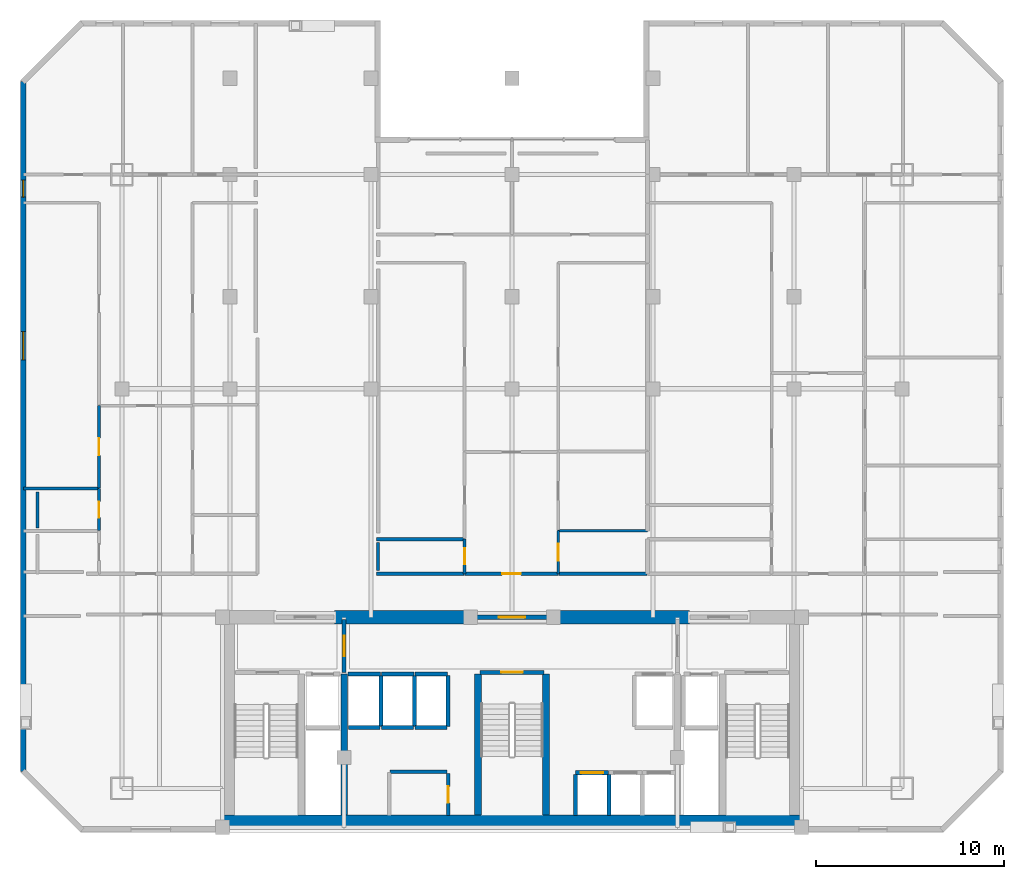
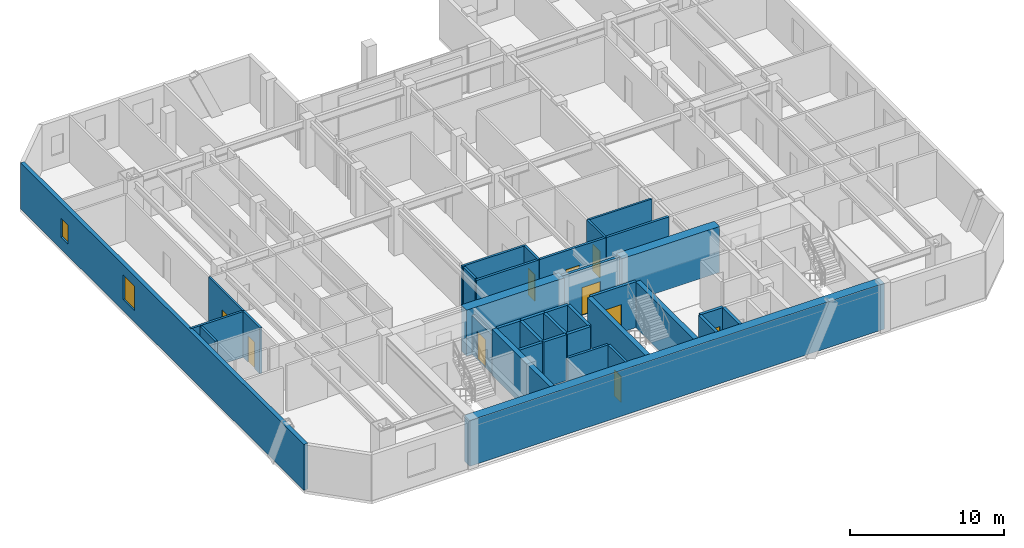
# One storey, part 4 of 9: 36 walls, 10 doors, 2 windows, 12 openings.
"""IFC4 building model written with IfcOpenShell, lengths in metres."""

from ifc_helpers import new_model, si_unit, direction, frame, frame_2d, origin, place, context, subcontext, project, spatial, rectangle, extrude, material, layer, layer_set, type_object, element, fill, save


model = new_model("IFC4")

# Units and contexts
model_context = context("Model", 3, precision=1e-05, world=origin(), true_north=direction((0.0, 1.0)))
body_context = subcontext(model_context, "Body", "Model", "MODEL_VIEW")
ifc_project = project(units=[si_unit("LENGTHUNIT", "METRE"), si_unit("AREAUNIT", "SQUARE_METRE"), si_unit("VOLUMEUNIT", "CUBIC_METRE"), si_unit("PLANEANGLEUNIT", "RADIAN"), si_unit("MASSUNIT", "GRAM", prefix="KILO")], contexts=[model_context])

# Site, building, storey
site_placement = place(None, origin())
site = spatial("IfcSite", under=ifc_project, at=site_placement, CompositionType="ELEMENT")
building_placement = place(site_placement, origin())
building = spatial("IfcBuilding", under=site, at=building_placement, Name="Ventersveld Concourse Tower", CompositionType="ELEMENT")
storey_placement = place(building_placement, frame((0.0, 0.0, 145.199951171875)))
storey = spatial("IfcBuildingStorey", under=building, at=storey_placement, Name="L35", CompositionType="ELEMENT", Elevation=145.199951171875)

# Walls
ifc_material_1 = material(Name="Concrete C60/75", Category="concrete")
ifc_layer_1 = layer(ifc_material_1, 0.35009765625)
ifc_layer_set_1 = layer_set([ifc_layer_1], Name="Concrete C60/75")
wall_type_1 = type_object("IfcWallType", Name="WL-CORE-350L", PredefinedType="SHEAR", material=ifc_layer_set_1)
for number, where, z_axis, x_axis, name in (
    (1, (19.820068359375, 0.919921875, 0.0), (0.0, 0.0, 1.0), (0.0, 1.0, 0.0), "L35 Core Internal Shear Web W-FF1-E"),
    (2, (26.93994140625, 0.919921875, 0.0), (0.0, 0.0, 1.0), (0.0, 1.0, 0.0), "L35 Core Internal Shear Web W-ST3-W"),
    (3, (30.56005859375, 0.919921875, 0.0), (0.0, 0.0, 1.0), (0.0, 1.0, 0.0), "L35 Core Internal Shear Web W-ST3-E"),
):
    element("IfcWall", number, at=place(storey_placement, frame(where, z_axis=z_axis, x_axis=x_axis)), inside=storey, type_object=wall_type_1, Name=name, PredefinedType="SHEAR", context=body_context, shape_type="SweptSolid", body=[
        extrude(rectangle(XDim=7.5, YDim=0.35009765625, at=frame_2d((3.75, 0.0))), origin(), (0.0, 0.0, 1.0), 3.630126953125),
    ])
ifc_layer_2 = layer(ifc_material_1, 0.699951171875)
ifc_layer_set_2 = layer_set([ifc_layer_2], Name="Concrete C60/75")
wall_type_2 = type_object("IfcWallType", Name="WL-CORE-700", PredefinedType="SHEAR", material=ifc_layer_set_2)
wall_1_placement = place(storey_placement, frame((13.25, 0.570068359375, 0.0), z_axis=(0.0, 0.0, 1.0), x_axis=(1.0, 0.0, 0.0)))
element("IfcWall", 4, at=wall_1_placement, inside=storey, type_object=wall_type_2, Name="L35 Rear Core South Shear Wall", PredefinedType="SHEAR", context=body_context, shape_type="SweptSolid", body=[
    extrude(rectangle(XDim=31.0, YDim=0.699951171875, at=frame_2d((15.5, 0.0))), origin(), (0.0, 0.0, 1.0), 3.630126953125),
])
for number, where, z_axis, x_axis, name in (
    (5, (19.300048828125, 11.449951171875, 0.0), (0.0, 0.0, 1.0), (1.0, 0.0, 0.0), "L35 Rear Core North Shear Wall NML"),
    (6, (30.89990234375, 11.449951171875, 0.0), (0.0, 0.0, 1.0), (1.0, 0.0, 0.0), "L35 Rear Core North Shear Wall NMR"),
):
    element("IfcWall", number, at=place(storey_placement, frame(where, z_axis=z_axis, x_axis=x_axis)), inside=storey, type_object=wall_type_2, Name=name, PredefinedType="SHEAR", context=body_context, shape_type="SweptSolid", body=[
        extrude(rectangle(XDim=7.300048828125, YDim=0.699951171875, at=frame_2d((3.64990234375, 0.0))), origin(), (0.0, 0.0, 1.0), 3.630126953125),
    ])

# Wall, opening, door
ifc_material_2 = material(Name="Fire-rated autoclaved aerated masonry blockwork", Category="masonry")
ifc_layer_3 = layer(ifc_material_2, 0.179931640625)
ifc_layer_set_3 = layer_set([ifc_layer_3], Name="Fire-rated autoclaved aerated masonry blockwork")
wall_type_3 = type_object("IfcWallType", Name="WL-CORR-180", PredefinedType="PARTITIONING", material=ifc_layer_set_3)
wall_2_placement = place(storey_placement, frame((25.35009765625, 0.89990234375, 0.0), z_axis=(0.0, 0.0, 1.0), x_axis=(0.0, 1.0, 0.0)))
wall_2 = element("IfcWall", 7, at=wall_2_placement, inside=storey, type_object=wall_type_3, Name="L35 Core Passage Wall SP-L35-RECB1", PredefinedType="PARTITIONING", context=body_context, shape_type="SweptSolid", body=[
    extrude(rectangle(XDim=2.239990234375, YDim=0.179931640625, at=frame_2d((1.1201171875, 0.0))), origin(), (0.0, 0.0, 1.0), 3.630126953125),
])
opening_1_placement = place(wall_2_placement, frame((0.679931640625, 0.0, 0.0)))
opening_1 = element("IfcOpeningElement", 8, at=opening_1_placement, cuts=wall_2, Name="Opening FD5", PredefinedType="OPENING", context=body_context, shape_type="SweptSolid", body=[
    extrude(rectangle(XDim=0.8798828125, YDim=2.050048828125, at=frame_2d((0.43994140625, 1.02490234375))), frame((0.0, 0.10009765625, 0.0), z_axis=(0.0, -1.0, 0.0), x_axis=(1.0, 0.0, 0.0)), (0.0, 0.0, 1.0), 0.199951171875),
])
ifc_material_3 = material(Name="Galvanised painted steel", Category="steel")
door_type_1 = type_object("IfcDoorType", Name="DR-RISER-088", OperationType="NOTDEFINED", PredefinedType="DOOR", material=ifc_material_3)
door_1_placement = place(opening_1_placement, origin())
door_1 = element("IfcDoor", 9, at=door_1_placement, inside=storey, type_object=door_type_1, Name="L35 Core Room Door L35 Reclaimed Core Residents Reading Room (CD-L35-1707)", OperationType="SINGLE_SWING_RIGHT", OverallHeight=2.050048828125, OverallWidth=0.8798828125, PredefinedType="DOOR", context=body_context, shape_type="SweptSolid", body=[
    extrude(rectangle(XDim=0.8798828125, YDim=2.050048828125, at=frame_2d((0.43994140625, 1.02490234375))), frame((0.0, 0.02490234375, 0.0), z_axis=(0.0, -1.0, 0.0), x_axis=(1.0, 0.0, 0.0)), (0.0, 0.0, 1.0), 0.050048828125),
])
fill(opening_1, door_1)

# Wall
wall_3_placement = place(storey_placement, frame((22.260009765625, 3.22998046875, 0.0), z_axis=(0.0, 0.0, 1.0), x_axis=(1.0, 0.0, 0.0)))
element("IfcWall", 10, at=wall_3_placement, inside=storey, type_object=wall_type_3, Name="L35 Core Top Wall SP-L35-RECB1", PredefinedType="PARTITIONING", context=body_context, shape_type="SweptSolid", body=[
    extrude(rectangle(XDim=3.0400390625, YDim=0.179931640625, at=frame_2d((1.52001953125, 0.0))), origin(), (0.0, 0.0, 1.0), 3.630126953125),
])

# Wall, opening, door
wall_4_placement = place(storey_placement, frame((26.225341796875, 13.77001953125, 0.0), z_axis=(0.0, 0.0, 1.0), x_axis=(1.0, 0.0, 0.0)))
wall_4 = element("IfcWall", 11, at=wall_4_placement, inside=storey, type_object=wall_type_3, Name="L35 Interior Partition SP-L35-COR-SP-L35-35CM-FOY", PredefinedType="PARTITIONING", context=body_context, shape_type="SweptSolid", body=[
    extrude(rectangle(XDim=4.989990234375, YDim=0.179931640625, at=frame_2d((2.4951171875, 0.0))), origin(), (0.0, 0.0, 1.0), 3.630126953125),
])
opening_2_placement = place(wall_4_placement, frame((1.9951171875, 0.0, 0.0)))
opening_2 = element("IfcOpeningElement", 12, at=opening_2_placement, cuts=wall_4, Name="Opening FD3", PredefinedType="OPENING", context=body_context, shape_type="SweptSolid", body=[
    extrude(rectangle(XDim=1.0, YDim=2.14990234375, at=frame_2d((0.5, 1.074951171875))), frame((0.0, 0.10009765625, 0.0), z_axis=(0.0, -1.0, 0.0), x_axis=(1.0, 0.0, 0.0)), (0.0, 0.0, 1.0), 0.199951171875),
])
ifc_material_4 = material(Name="Solid-core hardwood veneer timber", Category="wood")
door_type_2 = type_object("IfcDoorType", Name="DR-FLAT-100", OperationType="NOTDEFINED", PredefinedType="DOOR", material=ifc_material_4)
door_2_placement = place(opening_2_placement, origin())
door_2 = element("IfcDoor", 13, at=door_2_placement, inside=storey, type_object=door_type_2, Name="L35 Interior Door SP-L35-COR to SP-L35-35CM-FOY (FD-L35-1712)", OperationType="SINGLE_SWING_RIGHT", OverallHeight=2.14990234375, OverallWidth=1.0, PredefinedType="DOOR", context=body_context, shape_type="SweptSolid", body=[
    extrude(rectangle(XDim=1.0, YDim=2.14990234375, at=frame_2d((0.5, 1.074951171875))), frame((0.0, 0.02490234375, 0.0), z_axis=(0.0, -1.0, 0.0), x_axis=(1.0, 0.0, 0.0)), (0.0, 0.0, 1.0), 0.050048828125),
])
fill(opening_2, door_2)

# Walls
wall_5_placement = place(storey_placement, frame((21.534912109375, 13.77001953125, 0.0), z_axis=(0.0, 0.0, 1.0), x_axis=(1.0, 0.0, 0.0)))
element("IfcWall", 14, at=wall_5_placement, inside=storey, type_object=wall_type_3, Name="L35 Interior Partition SP-L35-COR-SP-L35-35CM-BATH", PredefinedType="PARTITIONING", context=body_context, shape_type="SweptSolid", body=[
    extrude(rectangle(XDim=4.660400390625, YDim=0.179931640625, at=frame_2d((2.330078125, 0.0))), origin(), (0.0, 0.0, 1.0), 3.630126953125),
])
wall_6_placement = place(storey_placement, frame((31.245361328125, 13.77001953125, 0.0), z_axis=(0.0, 0.0, 1.0), x_axis=(1.0, 0.0, 0.0)))
element("IfcWall", 15, at=wall_6_placement, inside=storey, type_object=wall_type_3, Name="L35 Interior Partition SP-L35-COR-SP-L35-35CM-KIT", PredefinedType="PARTITIONING", context=body_context, shape_type="SweptSolid", body=[
    extrude(rectangle(XDim=4.6796875, YDim=0.179931640625, at=frame_2d((2.33984375, 0.0))), origin(), (0.0, 0.0, 1.0), 3.630126953125),
])
ifc_layer_4 = layer(ifc_material_2, 0.219970703125)
ifc_layer_set_4 = layer_set([ifc_layer_4], Name="Fire-rated autoclaved aerated masonry blockwork")
wall_type_4 = type_object("IfcWallType", Name="WL-HOIST-220", PredefinedType="SOLIDWALL", material=ifc_layer_set_4)
for number, where, z_axis, x_axis, name in (
    (16, (32.1201171875, 0.89990234375, 0.0), (0.0, 0.0, 1.0), (0.0, 1.0, 0.0), "L35 Lift Hoistway Side Wall PM-01W"),
    (17, (33.89990234375, 0.89990234375, 0.0), (0.0, 0.0, 1.0), (0.0, 1.0, 0.0), "L35 Lift Hoistway Side Wall PM-01E"),
):
    element("IfcWall", number, at=place(storey_placement, frame(where, z_axis=z_axis, x_axis=x_axis)), inside=storey, type_object=wall_type_4, Name=name, PredefinedType="SOLIDWALL", context=body_context, shape_type="SweptSolid", body=[
        extrude(rectangle(XDim=2.2001953125, YDim=0.219970703125, at=frame_2d((1.10009765625, 0.0))), origin(), (0.0, 0.0, 1.0), 3.630126953125),
    ])

# Wall, opening, door
wall_7_placement = place(storey_placement, frame((32.139892578125, 3.179931640625, 0.0), z_axis=(0.0, 0.0, 1.0), x_axis=(1.0, 0.0, 0.0)))
wall_7 = element("IfcWall", 18, at=wall_7_placement, inside=storey, type_object=wall_type_4, Name="L35 Lift Hoistway Front Wall PM-01", PredefinedType="SOLIDWALL", context=body_context, shape_type="SweptSolid", body=[
    extrude(rectangle(XDim=1.739990234375, YDim=0.219970703125, at=frame_2d((0.8701171875, 0.0))), origin(), (0.0, 0.0, 1.0), 3.630126953125),
])
opening_3_placement = place(wall_7_placement, frame((0.280029296875, 0.0, 0.0)))
opening_3 = element("IfcOpeningElement", 19, at=opening_3_placement, cuts=wall_7, Name="Opening LD2", PredefinedType="OPENING", context=body_context, shape_type="SweptSolid", body=[
    extrude(rectangle(XDim=1.179931640625, YDim=2.199951171875, at=frame_2d((0.58984375, 1.10009765625))), frame((0.0, 0.1201171875, 0.0), z_axis=(0.0, -1.0, 0.0), x_axis=(1.0, 0.0, 0.0)), (0.0, 0.0, 1.0), 0.239990234375),
])
ifc_material_5 = material(Name="Brushed stainless steel 316", Category="steel")
door_type_3 = type_object("IfcDoorType", Name="LD-PAX-118", OperationType="SLIDING_TO_LEFT", PredefinedType="DOOR", material=ifc_material_5)
door_3_placement = place(opening_3_placement, origin())
door_3 = element("IfcDoor", 20, at=door_3_placement, inside=storey, type_object=door_type_3, Name="L35 Lift landing door PM-01 (LD-L35-PM-01)", OperationType="SLIDING_TO_RIGHT", OverallHeight=2.199951171875, OverallWidth=1.179931640625, PredefinedType="DOOR", context=body_context, shape_type="SweptSolid", body=[
    extrude(rectangle(XDim=1.179931640625, YDim=2.199951171875, at=frame_2d((0.58984375, 1.10009765625))), frame((0.0, 0.02490234375, 0.0), z_axis=(0.0, -1.0, 0.0), x_axis=(1.0, 0.0, 0.0)), (0.0, 0.0, 1.0), 0.050048828125),
])
fill(opening_3, door_3)

# Walls
wall_8_placement = place(storey_placement, frame((20.0400390625, 5.590087890625, 0.0), z_axis=(0.0, 0.0, 1.0), x_axis=(1.0, 0.0, 0.0)))
element("IfcWall", 21, at=wall_8_placement, inside=storey, type_object=wall_type_4, Name="L35 Lift Hoistway Back Wall PH-01", PredefinedType="SOLIDWALL", context=body_context, shape_type="SweptSolid", body=[
    extrude(rectangle(XDim=1.699951171875, YDim=0.219970703125, at=frame_2d((0.85009765625, 0.0))), origin(), (0.0, 0.0, 1.0), 3.630126953125),
])
wall_9_placement = place(storey_placement, frame((21.780029296875, 5.64990234375, 0.0), z_axis=(0.0, 0.0, 1.0), x_axis=(0.0, 1.0, 0.0)))
element("IfcWall", 22, at=wall_9_placement, inside=storey, type_object=wall_type_4, Name="L35 Lift Hoistway Side Wall PH-01E", PredefinedType="SOLIDWALL", context=body_context, shape_type="SweptSolid", body=[
    extrude(rectangle(XDim=2.7001953125, YDim=0.219970703125, at=frame_2d((1.35009765625, 0.0))), origin(), (0.0, 0.0, 1.0), 3.630126953125),
])
wall_10_placement = place(storey_placement, frame((20.02001953125, 8.429931640625, 0.0), z_axis=(0.0, 0.0, 1.0), x_axis=(1.0, 0.0, 0.0)))
element("IfcWall", 23, at=wall_10_placement, inside=storey, type_object=wall_type_4, Name="L35 Lift Hoistway Front Wall PH-01", PredefinedType="SOLIDWALL", context=body_context, shape_type="SweptSolid", body=[
    extrude(rectangle(XDim=1.739990234375, YDim=0.219970703125, at=frame_2d((0.8701171875, 0.0))), origin(), (0.0, 0.0, 1.0), 3.630126953125),
])
wall_11_placement = place(storey_placement, frame((21.820068359375, 5.590087890625, 0.0), z_axis=(0.0, 0.0, 1.0), x_axis=(1.0, 0.0, 0.0)))
element("IfcWall", 24, at=wall_11_placement, inside=storey, type_object=wall_type_4, Name="L35 Lift Hoistway Back Wall PH-02", PredefinedType="SOLIDWALL", context=body_context, shape_type="SweptSolid", body=[
    extrude(rectangle(XDim=1.699951171875, YDim=0.219970703125, at=frame_2d((0.85009765625, 0.0))), origin(), (0.0, 0.0, 1.0), 3.630126953125),
])
wall_12_placement = place(storey_placement, frame((23.56005859375, 5.64990234375, 0.0), z_axis=(0.0, 0.0, 1.0), x_axis=(0.0, 1.0, 0.0)))
element("IfcWall", 25, at=wall_12_placement, inside=storey, type_object=wall_type_4, Name="L35 Lift Hoistway Side Wall PH-02E", PredefinedType="SOLIDWALL", context=body_context, shape_type="SweptSolid", body=[
    extrude(rectangle(XDim=2.7001953125, YDim=0.219970703125, at=frame_2d((1.35009765625, 0.0))), origin(), (0.0, 0.0, 1.0), 3.630126953125),
])
wall_13_placement = place(storey_placement, frame((21.800048828125, 8.429931640625, 0.0), z_axis=(0.0, 0.0, 1.0), x_axis=(1.0, 0.0, 0.0)))
element("IfcWall", 26, at=wall_13_placement, inside=storey, type_object=wall_type_4, Name="L35 Lift Hoistway Front Wall PH-02", PredefinedType="SOLIDWALL", context=body_context, shape_type="SweptSolid", body=[
    extrude(rectangle(XDim=1.739990234375, YDim=0.219970703125, at=frame_2d((0.8701171875, 0.0))), origin(), (0.0, 0.0, 1.0), 3.630126953125),
])
wall_14_placement = place(storey_placement, frame((23.60009765625, 5.590087890625, 0.0), z_axis=(0.0, 0.0, 1.0), x_axis=(1.0, 0.0, 0.0)))
element("IfcWall", 27, at=wall_14_placement, inside=storey, type_object=wall_type_4, Name="L35 Lift Hoistway Back Wall PH-03", PredefinedType="SOLIDWALL", context=body_context, shape_type="SweptSolid", body=[
    extrude(rectangle(XDim=1.699951171875, YDim=0.219970703125, at=frame_2d((0.85009765625, 0.0))), origin(), (0.0, 0.0, 1.0), 3.630126953125),
])
wall_15_placement = place(storey_placement, frame((25.340087890625, 5.64990234375, 0.0), z_axis=(0.0, 0.0, 1.0), x_axis=(0.0, 1.0, 0.0)))
element("IfcWall", 28, at=wall_15_placement, inside=storey, type_object=wall_type_4, Name="L35 Lift Hoistway Side Wall PH-03E", PredefinedType="SOLIDWALL", context=body_context, shape_type="SweptSolid", body=[
    extrude(rectangle(XDim=2.7001953125, YDim=0.219970703125, at=frame_2d((1.35009765625, 0.0))), origin(), (0.0, 0.0, 1.0), 3.630126953125),
])
wall_16_placement = place(storey_placement, frame((23.580078125, 8.429931640625, 0.0), z_axis=(0.0, 0.0, 1.0), x_axis=(1.0, 0.0, 0.0)))
element("IfcWall", 29, at=wall_16_placement, inside=storey, type_object=wall_type_4, Name="L35 Lift Hoistway Front Wall PH-03", PredefinedType="SOLIDWALL", context=body_context, shape_type="SweptSolid", body=[
    extrude(rectangle(XDim=1.739990234375, YDim=0.219970703125, at=frame_2d((0.8701171875, 0.0))), origin(), (0.0, 0.0, 1.0), 3.630126953125),
])

# Wall, opening, door
wall_17_placement = place(storey_placement, frame((27.0400390625, 8.52001953125, 0.0), z_axis=(0.0, 0.0, 1.0), x_axis=(1.0, 0.0, 0.0)))
wall_17 = element("IfcWall", 30, at=wall_17_placement, inside=storey, type_object=wall_type_4, Name="L35 Escape Stair ST03 Fire Wall", PredefinedType="SOLIDWALL", context=body_context, shape_type="SweptSolid", body=[
    extrude(rectangle(XDim=3.419921875, YDim=0.219970703125, at=frame_2d((1.7099609375, 0.0))), origin(), (0.0, 0.0, 1.0), 3.630126953125),
])
opening_4_placement = place(wall_17_placement, frame((1.135009765625, 0.0, 0.0)))
opening_4 = element("IfcOpeningElement", 31, at=opening_4_placement, cuts=wall_17, Name="Opening FD1", PredefinedType="OPENING", context=body_context, shape_type="SweptSolid", body=[
    extrude(rectangle(XDim=1.14990234375, YDim=2.199951171875, at=frame_2d((0.574951171875, 1.10009765625))), frame((0.0, 0.1201171875, 0.0), z_axis=(0.0, -1.0, 0.0), x_axis=(1.0, 0.0, 0.0)), (0.0, 0.0, 1.0), 0.239990234375),
])
door_type_4 = type_object("IfcDoorType", Name="DR-STAIR-115", OperationType="NOTDEFINED", PredefinedType="DOOR", material=ifc_material_3)
door_4_placement = place(opening_4_placement, origin())
door_4 = element("IfcDoor", 32, at=door_4_placement, inside=storey, type_object=door_type_4, Name="L35 Escape Stair Door ST03 (SD-L35-1701)", OperationType="SINGLE_SWING_LEFT", OverallHeight=2.199951171875, OverallWidth=1.14990234375, PredefinedType="DOOR", context=body_context, shape_type="SweptSolid", body=[
    extrude(rectangle(XDim=1.14990234375, YDim=2.199951171875, at=frame_2d((0.574951171875, 1.10009765625))), frame((0.0, 0.02490234375, 0.0), z_axis=(0.0, -1.0, 0.0), x_axis=(1.0, 0.0, 0.0)), (0.0, 0.0, 1.0), 0.050048828125),
])
fill(opening_4, door_4)

wall_18_placement = place(storey_placement, frame((19.820068359375, 8.52001953125, 0.0), z_axis=(0.0, 0.0, 1.0), x_axis=(0.0, 1.0, 0.0)))
wall_18 = element("IfcWall", 33, at=wall_18_placement, inside=storey, type_object=wall_type_4, Name="L35 Firefighting Lobby Smoke-Stop Wall FFLW-SEP", PredefinedType="SOLIDWALL", context=body_context, shape_type="SweptSolid", body=[
    extrude(rectangle(XDim=2.800048828125, YDim=0.219970703125, at=frame_2d((1.39990234375, 0.0))), origin(), (0.0, 0.0, 1.0), 3.08544921875),
])
opening_5_placement = place(wall_18_placement, frame((0.85009765625, 0.0, 0.0)))
opening_5 = element("IfcOpeningElement", 34, at=opening_5_placement, cuts=wall_18, Name="Opening FD2", PredefinedType="OPENING", context=body_context, shape_type="SweptSolid", body=[
    extrude(rectangle(XDim=1.10009765625, YDim=2.199951171875, at=frame_2d((0.550048828125, 1.10009765625))), frame((0.0, 0.1201171875, 0.0), z_axis=(0.0, -1.0, 0.0), x_axis=(1.0, 0.0, 0.0)), (0.0, 0.0, 1.0), 0.239990234375),
])
door_type_5 = type_object("IfcDoorType", Name="DR-FFL-110", OperationType="NOTDEFINED", PredefinedType="DOOR", material=ifc_material_3)
door_5_placement = place(opening_5_placement, origin())
door_5 = element("IfcDoor", 35, at=door_5_placement, inside=storey, type_object=door_type_5, Name="L35 Firefighting Lobby Door FFLW-SEP (FD-L35-1702)", OperationType="SINGLE_SWING_LEFT", OverallHeight=2.199951171875, OverallWidth=1.10009765625, PredefinedType="DOOR", context=body_context, shape_type="SweptSolid", body=[
    extrude(rectangle(XDim=1.10009765625, YDim=2.199951171875, at=frame_2d((0.550048828125, 1.10009765625))), frame((0.0, 0.02490234375, 0.0), z_axis=(0.0, -1.0, 0.0), x_axis=(1.0, 0.0, 0.0)), (0.0, 0.0, 1.0), 0.050048828125),
])
fill(opening_5, door_5)

wall_19_placement = place(storey_placement, frame((26.6298828125, 11.449951171875, 0.0), z_axis=(0.0, 0.0, 1.0), x_axis=(1.0, 0.0, 0.0)))
wall_19 = element("IfcWall", 36, at=wall_19_placement, inside=storey, type_object=wall_type_4, Name="L35 Core North Fire Portal PLOB-OUT", PredefinedType="SOLIDWALL", context=body_context, shape_type="SweptSolid", body=[
    extrude(rectangle(XDim=4.240234375, YDim=0.219970703125, at=frame_2d((2.1201171875, 0.0))), origin(), (0.0, 0.0, 1.0), 3.630126953125),
])
opening_6_placement = place(wall_19_placement, frame((1.419921875, 0.0, 0.0)))
opening_6 = element("IfcOpeningElement", 37, at=opening_6_placement, cuts=wall_19, Name="Opening FD4", PredefinedType="OPENING", context=body_context, shape_type="SweptSolid", body=[
    extrude(rectangle(XDim=1.39990234375, YDim=2.199951171875, at=frame_2d((0.699951171875, 1.10009765625))), frame((0.0, 0.1201171875, 0.0), z_axis=(0.0, -1.0, 0.0), x_axis=(1.0, 0.0, 0.0)), (0.0, 0.0, 1.0), 0.239990234375),
])
door_type_6 = type_object("IfcDoorType", Name="DR-PLANT-140", OperationType="DOUBLE_DOOR_SINGLE_SWING", PredefinedType="DOOR", material=ifc_material_3)
door_6_placement = place(opening_6_placement, origin())
door_6 = element("IfcDoor", 38, at=door_6_placement, inside=storey, type_object=door_type_6, Name="L35 Core Lobby Fire Door PLOB-OUT (FD-L35-1705)", OperationType="DOUBLE_DOOR_SINGLE_SWING", OverallHeight=2.199951171875, OverallWidth=1.39990234375, PredefinedType="DOOR", context=body_context, shape_type="SweptSolid", body=[
    extrude(rectangle(XDim=1.39990234375, YDim=2.199951171875, at=frame_2d((0.699951171875, 1.10009765625))), frame((0.0, 0.02490234375, 0.0), z_axis=(0.0, -1.0, 0.0), x_axis=(1.0, 0.0, 0.0)), (0.0, 0.0, 1.0), 0.050048828125),
])
fill(opening_6, door_6)

ifc_material_6 = material(Name="Autoclaved aerated masonry blockwork", Category="masonry")
ifc_layer_5 = layer(ifc_material_6, 0.14990234375)
ifc_layer_set_5 = layer_set([ifc_layer_5], Name="Autoclaved aerated masonry blockwork")
wall_type_5 = type_object("IfcWallType", Name="WL-INT-150", PredefinedType="PARTITIONING", material=ifc_layer_set_5)
wall_20_placement = place(storey_placement, frame((6.78173828125, 18.326904296875, 0.0), z_axis=(0.0, 0.0, 1.0), x_axis=(0.0, 1.0, 0.0)))
wall_20 = element("IfcWall", 39, at=wall_20_placement, inside=storey, type_object=wall_type_5, Name="L35 Interior Partition SP-L35-35NW-FOY-SP-L35-35NW-OFFL0", PredefinedType="PARTITIONING", context=body_context, shape_type="SweptSolid", body=[
    extrude(rectangle(XDim=4.38134765625, YDim=0.14990234375, at=frame_2d((2.190673828125, 0.0))), origin(), (0.0, 0.0, 1.0), 3.630126953125),
])
opening_7_placement = place(wall_20_placement, frame((1.730712890625, 0.0, 0.0)))
opening_7 = element("IfcOpeningElement", 40, at=opening_7_placement, cuts=wall_20, Name="Opening ID1", PredefinedType="OPENING", context=body_context, shape_type="SweptSolid", body=[
    extrude(rectangle(XDim=0.919921875, YDim=2.10009765625, at=frame_2d((0.4599609375, 1.050048828125))), frame((0.0, 0.0849609375, 0.0), z_axis=(0.0, -1.0, 0.0), x_axis=(1.0, 0.0, 0.0)), (0.0, 0.0, 1.0), 0.169921875),
])
door_type_7 = type_object("IfcDoorType", Name="DR-ROOM-092", OperationType="NOTDEFINED", PredefinedType="DOOR", material=ifc_material_4)
door_7_placement = place(opening_7_placement, origin())
door_7 = element("IfcDoor", 41, at=door_7_placement, inside=storey, type_object=door_type_7, Name="L35 Interior Door SP-L35-35NW-FOY to SP-L35-35NW-OFFL0 (D-L35-1716)", OperationType="SINGLE_SWING_RIGHT", OverallHeight=2.10009765625, OverallWidth=0.919921875, PredefinedType="DOOR", context=body_context, shape_type="SweptSolid", body=[
    extrude(rectangle(XDim=0.919921875, YDim=2.10009765625, at=frame_2d((0.4599609375, 1.050048828125))), frame((0.0, 0.02490234375, 0.0), z_axis=(0.0, -1.0, 0.0), x_axis=(1.0, 0.0, 0.0)), (0.0, 0.0, 1.0), 0.050048828125),
])
fill(opening_7, door_7)

wall_21_placement = place(storey_placement, frame((31.21044921875, 13.764892578125, 0.0), z_axis=(0.0, 0.0, 1.0), x_axis=(0.0, 1.0, 0.0)))
wall_21 = element("IfcWall", 42, at=wall_21_placement, inside=storey, type_object=wall_type_5, Name="L35 Interior Partition SP-L35-35CM-FOY-SP-L35-35CM-KIT", PredefinedType="PARTITIONING", context=body_context, shape_type="SweptSolid", body=[
    extrude(rectangle(XDim=2.291015625, YDim=0.14990234375, at=frame_2d((1.1455078125, 0.0))), origin(), (0.0, 0.0, 1.0), 3.630126953125),
])
opening_8_placement = place(wall_21_placement, frame((0.685302734375, 0.0, 0.0)))
opening_8 = element("IfcOpeningElement", 43, at=opening_8_placement, cuts=wall_21, Name="Opening ID1", PredefinedType="OPENING", context=body_context, shape_type="SweptSolid", body=[
    extrude(rectangle(XDim=0.919921875, YDim=2.10009765625, at=frame_2d((0.4599609375, 1.050048828125))), frame((0.0, 0.0849609375, 0.0), z_axis=(0.0, -1.0, 0.0), x_axis=(1.0, 0.0, 0.0)), (0.0, 0.0, 1.0), 0.169921875),
])
door_8_placement = place(opening_8_placement, origin())
door_8 = element("IfcDoor", 44, at=door_8_placement, inside=storey, type_object=door_type_7, Name="L35 Interior Door SP-L35-35CM-FOY to SP-L35-35CM-KIT (D-L35-1740)", OperationType="SINGLE_SWING_RIGHT", OverallHeight=2.10009765625, OverallWidth=0.919921875, PredefinedType="DOOR", context=body_context, shape_type="SweptSolid", body=[
    extrude(rectangle(XDim=0.919921875, YDim=2.10009765625, at=frame_2d((0.4599609375, 1.050048828125))), frame((0.0, 0.02490234375, 0.0), z_axis=(0.0, -1.0, 0.0), x_axis=(1.0, 0.0, 0.0)), (0.0, 0.0, 1.0), 0.050048828125),
])
fill(opening_8, door_8)

# Wall
wall_22_placement = place(storey_placement, frame((31.205322265625, 16.05078125, 0.0), z_axis=(0.0, 0.0, 1.0), x_axis=(1.0, 0.0, 0.0)))
element("IfcWall", 45, at=wall_22_placement, inside=storey, type_object=wall_type_5, Name="L35 Interior Partition SP-L35-35CM-KIT-SP-L35-35CM-SEMR1", PredefinedType="PARTITIONING", context=body_context, shape_type="SweptSolid", body=[
    extrude(rectangle(XDim=4.759765625, YDim=0.14990234375, at=frame_2d((2.3798828125, 0.0))), origin(), (0.0, 0.0, 1.0), 3.630126953125),
])

# Wall, openings, windows
ifc_material_7 = material(Name="Precast concrete C45/55", Category="concrete")
ifc_layer_6 = layer(ifc_material_7, 0.300048828125)
ifc_layer_set_6 = layer_set([ifc_layer_6], Name="Precast concrete C45/55")
wall_type_6 = type_object("IfcWallType", Name="WL-PREC-300", PredefinedType="SOLIDWALL", material=ifc_layer_set_6)
wall_23_placement = place(storey_placement, frame((2.75, 39.9599609375, 0.0), z_axis=(0.0, 0.0, 1.0), x_axis=(0.0, -1.0, 0.0)))
wall_23 = element("IfcWall", 46, at=wall_23_placement, inside=storey, type_object=wall_type_6, Name="L35 Highveld Precast Facade Wall E11", PredefinedType="SOLIDWALL", context=body_context, shape_type="SweptSolid", body=[
    extrude(rectangle(XDim=36.719970703125, YDim=0.300048828125, at=frame_2d((18.35986328125, 0.0))), origin(), (0.0, 0.0, 1.0), 3.630126953125),
])
opening_9_placement = place(wall_23_placement, frame((5.260009765625, 0.0, 0.949951171875)))
opening_9 = element("IfcOpeningElement", 47, at=opening_9_placement, cuts=wall_23, Name="Opening W4", PredefinedType="OPENING", context=body_context, shape_type="SweptSolid", body=[
    extrude(rectangle(XDim=0.89990234375, YDim=1.5, at=frame_2d((0.449951171875, 0.75))), frame((0.0, 0.16015625, 0.0), z_axis=(0.0, -1.0, 0.0), x_axis=(1.0, 0.0, 0.0)), (0.0, 0.0, 1.0), 0.320068359375),
])
opening_10_placement = place(wall_23_placement, frame((13.314208984375, 0.0, 0.89990234375)))
opening_10 = element("IfcOpeningElement", 48, at=opening_10_placement, cuts=wall_23, Name="Opening W1", PredefinedType="OPENING", context=body_context, shape_type="SweptSolid", body=[
    extrude(rectangle(XDim=1.5, YDim=1.949951171875, at=frame_2d((0.75, 0.97509765625))), frame((0.0, 0.16015625, 0.0), z_axis=(0.0, -1.0, 0.0), x_axis=(1.0, 0.0, 0.0)), (0.0, 0.0, 1.0), 0.320068359375),
])
ifc_material_8 = material(Name="Tempered acoustic Low-E IGU", Category="glass")
window_type_1 = type_object("IfcWindowType", Name="WIN-090x150", PartitioningType="SINGLE_PANEL", PredefinedType="WINDOW", material=ifc_material_8)
window_1_placement = place(opening_9_placement, origin())
window_1 = element("IfcWindow", 49, at=window_1_placement, inside=storey, type_object=window_type_1, Name="L35 Punched Low-E Window W-0447", OverallHeight=1.5, OverallWidth=0.89990234375, PartitioningType="SINGLE_PANEL", PredefinedType="WINDOW", context=body_context, shape_type="SweptSolid", body=[
    extrude(rectangle(XDim=0.89990234375, YDim=1.5, at=frame_2d((0.449951171875, 0.75))), frame((0.0, 0.030029296875, 0.0), z_axis=(0.0, -1.0, 0.0), x_axis=(1.0, 0.0, 0.0)), (0.0, 0.0, 1.0), 0.06005859375),
])
fill(opening_9, window_1)
window_type_2 = type_object("IfcWindowType", Name="WIN-150x210", PartitioningType="SINGLE_PANEL", PredefinedType="WINDOW", material=ifc_material_8)
window_2_placement = place(opening_10_placement, origin())
window_2 = element("IfcWindow", 50, at=window_2_placement, inside=storey, type_object=window_type_2, Name="L35 Punched Low-E Window W-0448", OverallHeight=1.949951171875, OverallWidth=1.5, PartitioningType="SINGLE_PANEL", PredefinedType="WINDOW", context=body_context, shape_type="SweptSolid", body=[
    extrude(rectangle(XDim=1.5, YDim=1.949951171875, at=frame_2d((0.75, 0.97509765625))), frame((0.0, 0.030029296875, 0.0), z_axis=(0.0, -1.0, 0.0), x_axis=(1.0, 0.0, 0.0)), (0.0, 0.0, 1.0), 0.06005859375),
])
fill(opening_10, window_2)

# Wall, opening, door
ifc_layer_7 = layer(ifc_material_6, 0.1650390625)
ifc_layer_set_7 = layer_set([ifc_layer_7], Name="Autoclaved aerated masonry blockwork")
wall_type_7 = type_object("IfcWallType", Name="WL-WET-165", PredefinedType="PLUMBINGWALL", material=ifc_layer_set_7)
wall_24_placement = place(storey_placement, frame((6.78173828125, 16.06591796875, 0.0), z_axis=(0.0, 0.0, 1.0), x_axis=(0.0, 1.0, 0.0)))
wall_24 = element("IfcWall", 51, at=wall_24_placement, inside=storey, type_object=wall_type_7, Name="L35 Interior Partition SP-L35-35NW-FOY-SP-L35-35NW-PWDL2", PredefinedType="PLUMBINGWALL", context=body_context, shape_type="SweptSolid", body=[
    extrude(rectangle(XDim=2.23095703125, YDim=0.1650390625, at=frame_2d((1.115478515625, 0.0))), origin(), (0.0, 0.0, 1.0), 3.630126953125),
])
opening_11_placement = place(wall_24_placement, frame((0.6904296875, 0.0, 0.0)))
opening_11 = element("IfcOpeningElement", 52, at=opening_11_placement, cuts=wall_24, Name="Opening ID2", PredefinedType="OPENING", context=body_context, shape_type="SweptSolid", body=[
    extrude(rectangle(XDim=0.85009765625, YDim=2.10009765625, at=frame_2d((0.425048828125, 1.050048828125))), frame((0.0, 0.092529296875, 0.0), z_axis=(0.0, -1.0, 0.0), x_axis=(1.0, 0.0, 0.0)), (0.0, 0.0, 1.0), 0.18505859375),
])
door_type_8 = type_object("IfcDoorType", Name="DR-BATH-085", OperationType="NOTDEFINED", PredefinedType="DOOR", material=ifc_material_4)
door_9_placement = place(opening_11_placement, origin())
door_9 = element("IfcDoor", 53, at=door_9_placement, inside=storey, type_object=door_type_8, Name="L35 Interior Door SP-L35-35NW-FOY to SP-L35-35NW-PWDL2 (D-L35-1715)", OperationType="SINGLE_SWING_LEFT", OverallHeight=2.10009765625, OverallWidth=0.85009765625, PredefinedType="DOOR", context=body_context, shape_type="SweptSolid", body=[
    extrude(rectangle(XDim=0.85009765625, YDim=2.10009765625, at=frame_2d((0.425048828125, 1.050048828125))), frame((0.0, 0.02490234375, 0.0), z_axis=(0.0, -1.0, 0.0), x_axis=(1.0, 0.0, 0.0)), (0.0, 0.0, 1.0), 0.050048828125),
])
fill(opening_11, door_9)

# Wall
wall_25_placement = place(storey_placement, frame((2.7724609375, 18.291748046875, 0.0), z_axis=(0.0, 0.0, 1.0), x_axis=(1.0, 0.0, 0.0)))
element("IfcWall", 54, at=wall_25_placement, inside=storey, type_object=wall_type_7, Name="L35 Interior Partition SP-L35-35NW-PWDL2-SP-L35-35NW-OFFL0", PredefinedType="PLUMBINGWALL", context=body_context, shape_type="SweptSolid", body=[
    extrude(rectangle(XDim=4.01416015625, YDim=0.1650390625, at=frame_2d((2.007080078125, 0.0))), origin(), (0.0, 0.0, 1.0), 3.630126953125),
])

# Wall, opening, door
wall_26_placement = place(storey_placement, frame((26.23046875, 13.764892578125, 0.0), z_axis=(0.0, 0.0, 1.0), x_axis=(0.0, 1.0, 0.0)))
wall_26 = element("IfcWall", 55, at=wall_26_placement, inside=storey, type_object=wall_type_7, Name="L35 Interior Partition SP-L35-35CM-FOY-SP-L35-35CM-BATH", PredefinedType="PLUMBINGWALL", context=body_context, shape_type="SweptSolid", body=[
    extrude(rectangle(XDim=1.840087890625, YDim=0.1650390625, at=frame_2d((0.919921875, 0.0))), origin(), (0.0, 0.0, 1.0), 3.630126953125),
])
opening_12_placement = place(wall_26_placement, frame((0.4951171875, 0.0, 0.0)))
opening_12 = element("IfcOpeningElement", 56, at=opening_12_placement, cuts=wall_26, Name="Opening ID2", PredefinedType="OPENING", context=body_context, shape_type="SweptSolid", body=[
    extrude(rectangle(XDim=0.85009765625, YDim=2.10009765625, at=frame_2d((0.425048828125, 1.050048828125))), frame((0.0, 0.092529296875, 0.0), z_axis=(0.0, -1.0, 0.0), x_axis=(1.0, 0.0, 0.0)), (0.0, 0.0, 1.0), 0.18505859375),
])
door_10_placement = place(opening_12_placement, origin())
door_10 = element("IfcDoor", 57, at=door_10_placement, inside=storey, type_object=door_type_8, Name="L35 Interior Door SP-L35-35CM-FOY to SP-L35-35CM-BATH (D-L35-1738)", OperationType="SINGLE_SWING_RIGHT", OverallHeight=2.10009765625, OverallWidth=0.85009765625, PredefinedType="DOOR", context=body_context, shape_type="SweptSolid", body=[
    extrude(rectangle(XDim=0.85009765625, YDim=2.10009765625, at=frame_2d((0.425048828125, 1.050048828125))), frame((0.0, 0.02490234375, 0.0), z_axis=(0.0, -1.0, 0.0), x_axis=(1.0, 0.0, 0.0)), (0.0, 0.0, 1.0), 0.050048828125),
])
fill(opening_12, door_10)

# Walls
wall_27_placement = place(storey_placement, frame((21.534912109375, 15.60009765625, 0.0), z_axis=(0.0, 0.0, 1.0), x_axis=(1.0, 0.0, 0.0)))
element("IfcWall", 58, at=wall_27_placement, inside=storey, type_object=wall_type_7, Name="L35 Interior Partition SP-L35-35CM-BATH-SP-L35-35CM-MEDL0", PredefinedType="PLUMBINGWALL", context=body_context, shape_type="SweptSolid", body=[
    extrude(rectangle(XDim=4.700439453125, YDim=0.1650390625, at=frame_2d((2.35009765625, 0.0))), origin(), (0.0, 0.0, 1.0), 3.630126953125),
])
wall_28_placement = place(storey_placement, frame((3.52001953125, 16.19580078125, 0.0), z_axis=(0.0, 0.0, 1.0), x_axis=(0.0, 1.0, 0.0)))
element("IfcWall", 59, at=wall_28_placement, inside=storey, type_object=wall_type_7, Name="L35 Room Enclosure Wall SP-L35-35NW-PWDL2", PredefinedType="PLUMBINGWALL", context=body_context, shape_type="SweptSolid", body=[
    extrude(rectangle(XDim=1.930908203125, YDim=0.1650390625, at=frame_2d((0.96533203125, 0.0))), origin(), (0.0, 0.0, 1.0), 3.630126953125),
])
wall_29_placement = place(storey_placement, frame((21.6298828125, 13.93505859375, 0.0), z_axis=(0.0, 0.0, 1.0), x_axis=(0.0, 1.0, 0.0)))
element("IfcWall", 60, at=wall_29_placement, inside=storey, type_object=wall_type_7, Name="L35 Room Enclosure Wall SP-L35-35CM-BATH", PredefinedType="PLUMBINGWALL", context=body_context, shape_type="SweptSolid", body=[
    extrude(rectangle(XDim=1.5, YDim=0.1650390625, at=frame_2d((0.75, 0.0))), origin(), (0.0, 0.0, 1.0), 3.630126953125),
])

save(model, "model.ifc")
